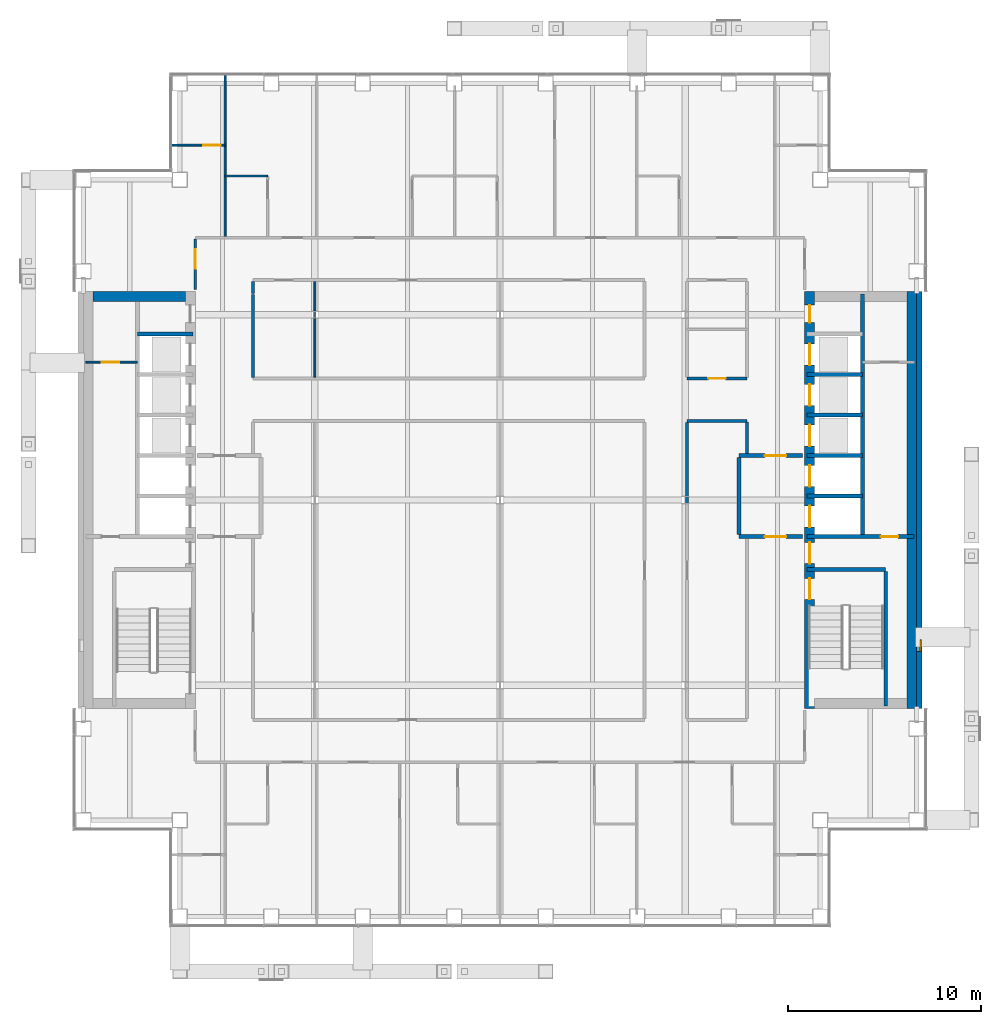
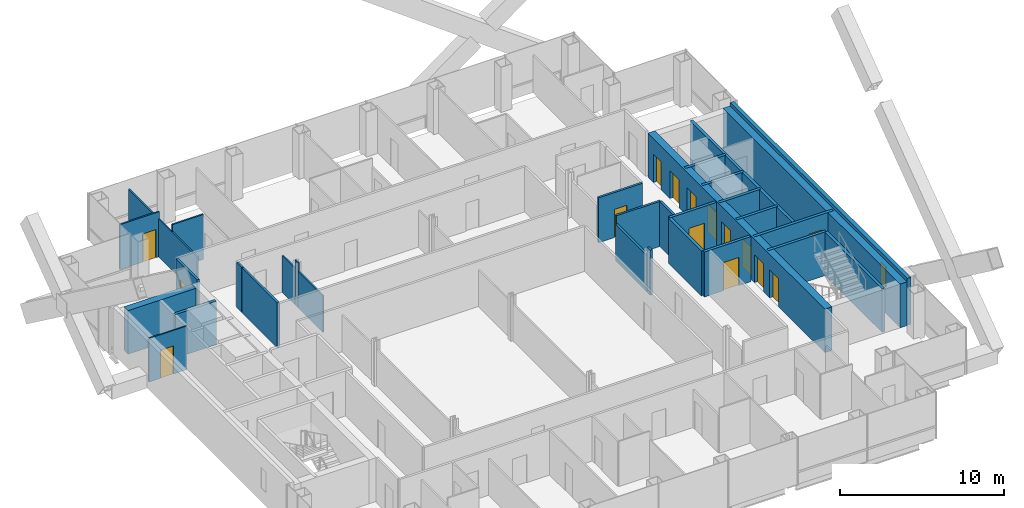
# One storey, part 12 of 16: 31 walls, 15 doors, 1 window, 16 openings.
"""IFC4 building model written with IfcOpenShell, lengths in metres."""

from ifc_helpers import new_model, si_unit, direction, frame, frame_2d, origin, place, context, subcontext, project, spatial, rectangle, extrude, material, layer, layer_set, type_object, element, fill, save


model = new_model("IFC4")

# Units and contexts
model_context = context("Model", 3, precision=1e-05, world=origin(), true_north=direction((0.0, 1.0)))
body_context = subcontext(model_context, "Body", "Model", "MODEL_VIEW")
ifc_project = project(units=[si_unit("LENGTHUNIT", "METRE"), si_unit("AREAUNIT", "SQUARE_METRE"), si_unit("VOLUMEUNIT", "CUBIC_METRE"), si_unit("PLANEANGLEUNIT", "RADIAN"), si_unit("MASSUNIT", "GRAM", prefix="KILO")], contexts=[model_context])

# Site, building, storey
site_placement = place(None, origin())
site = spatial("IfcSite", under=ifc_project, at=site_placement, CompositionType="ELEMENT")
building_placement = place(site_placement, origin())
building = spatial("IfcBuilding", under=site, at=building_placement, Name="Cobrizo Arcos Hotel Tower", CompositionType="ELEMENT")
storey_placement = place(building_placement, frame((0.0, 0.0, 172.5)))
storey = spatial("IfcBuildingStorey", under=building, at=storey_placement, Name="L44", CompositionType="ELEMENT", Elevation=172.5)

# Wall
ifc_material_1 = material(Name="Gypsum board partition")
ifc_layer_1 = layer(ifc_material_1, 0.14990234375)
ifc_layer_set_1 = layer_set([ifc_layer_1], Name="Corridor wall EI 60 150")
wall_type_1 = type_object("IfcWallType", Name="Corridor wall EI 60 150", PredefinedType="PARTITIONING", material=ifc_layer_set_1)
wall_1_placement = place(storey_placement, frame((9.699951171875, 4.10009765625, 0.0), z_axis=(0.0, 0.0, 1.0), x_axis=(1.0, 0.0, 0.0)))
element("IfcWall", 1, at=wall_1_placement, inside=storey, type_object=wall_type_1, Name="Partition 023", PredefinedType="PARTITIONING", context=body_context, shape_type="SweptSolid", body=[
    extrude(rectangle(XDim=3.10009765625, YDim=0.14990234375, at=frame_2d((1.550048828125, 0.0))), origin(), (0.0, 0.0, 1.0), 3.35009765625),
])

# Wall, opening, door
wall_2_placement = place(storey_placement, frame((9.699951171875, 6.300048828125, 0.0), z_axis=(0.0, 0.0, 1.0), x_axis=(1.0, 0.0, 0.0)))
wall_2 = element("IfcWall", 2, at=wall_2_placement, inside=storey, type_object=wall_type_1, Name="Partition 027", PredefinedType="PARTITIONING", context=body_context, shape_type="SweptSolid", body=[
    extrude(rectangle(XDim=3.10009765625, YDim=0.14990234375, at=frame_2d((1.550048828125, 0.0))), origin(), (0.0, 0.0, 1.0), 3.35009765625),
])
opening_1_placement = place(wall_2_placement, frame((1.10009765625, 0.0, 0.0)))
opening_1 = element("IfcOpeningElement", 3, at=opening_1_placement, cuts=wall_2, Name="Opening ED-13", PredefinedType="OPENING", context=body_context, shape_type="SweptSolid", body=[
    extrude(rectangle(XDim=0.89990234375, YDim=2.10009765625, at=frame_2d((0.449951171875, 1.050048828125))), frame((0.0, 0.0869140625, 0.0), z_axis=(0.0, -1.0, 0.0), x_axis=(1.0, 0.0, 0.0)), (0.0, 0.0, 1.0), 0.173828125),
])
ifc_material_2 = material(Name="Timber door leaf", Category="wood")
door_type_1 = type_object("IfcDoorType", Name="En-suite door 900x2100", OperationType="SINGLE_SWING_LEFT", PredefinedType="DOOR", material=ifc_material_2)
door_1_placement = place(opening_1_placement, origin())
door_1 = element("IfcDoor", 4, at=door_1_placement, inside=storey, type_object=door_type_1, Name="Door ED-13", OperationType="SINGLE_SWING_LEFT", OverallHeight=2.10009765625, OverallWidth=0.89990234375, PredefinedType="DOOR", context=body_context, shape_type="SweptSolid", body=[
    extrude(rectangle(XDim=0.89990234375, YDim=2.10009765625, at=frame_2d((0.449951171875, 1.050048828125))), frame((0.0, 0.02490234375, 0.0), z_axis=(0.0, -1.0, 0.0), x_axis=(1.0, 0.0, 0.0)), (0.0, 0.0, 1.0), 0.050048828125),
])
fill(opening_1, door_1)

wall_3_placement = place(storey_placement, frame((-15.800048828125, 10.919921875, 0.0), z_axis=(0.0, 0.0, 1.0), x_axis=(0.0, 1.0, 0.0)))
wall_3 = element("IfcWall", 5, at=wall_3_placement, inside=storey, type_object=wall_type_1, Name="Partition 047", PredefinedType="PARTITIONING", context=body_context, shape_type="SweptSolid", body=[
    extrude(rectangle(XDim=2.60498046875, YDim=0.14990234375, at=frame_2d((1.302490234375, 0.0))), origin(), (0.0, 0.0, 1.0), 3.35009765625),
])
opening_2_placement = place(wall_3_placement, frame((1.080078125, 0.0, 0.0)))
opening_2 = element("IfcOpeningElement", 6, at=opening_2_placement, cuts=wall_3, Name="Opening GD-10", PredefinedType="OPENING", context=body_context, shape_type="SweptSolid", body=[
    extrude(rectangle(XDim=1.0, YDim=2.10009765625, at=frame_2d((0.5, 1.050048828125))), frame((0.0, 0.0869140625, 0.0), z_axis=(0.0, -1.0, 0.0), x_axis=(1.0, 0.0, 0.0)), (0.0, 0.0, 1.0), 0.173828125),
])
door_type_2 = type_object("IfcDoorType", Name="Guest room door FD30S 1000x2100", OperationType="SINGLE_SWING_LEFT", PredefinedType="DOOR", material=ifc_material_2)
door_2_placement = place(opening_2_placement, origin())
door_2 = element("IfcDoor", 7, at=door_2_placement, inside=storey, type_object=door_type_2, Name="Door GD-10", OperationType="SINGLE_SWING_RIGHT", OverallHeight=2.10009765625, OverallWidth=1.0, PredefinedType="DOOR", context=body_context, shape_type="SweptSolid", body=[
    extrude(rectangle(XDim=1.0, YDim=2.10009765625, at=frame_2d((0.5, 1.050048828125))), frame((0.0, 0.02490234375, 0.0), z_axis=(0.0, -1.0, 0.0), x_axis=(1.0, 0.0, 0.0)), (0.0, 0.0, 1.0), 0.050048828125),
])
fill(opening_2, door_2)

# Walls
wall_4_placement = place(storey_placement, frame((-12.800048828125, 6.35009765625, 0.0), z_axis=(0.0, 0.0, 1.0), x_axis=(0.0, 1.0, 0.0)))
element("IfcWall", 8, at=wall_4_placement, inside=storey, type_object=wall_type_1, Name="Partition 052", PredefinedType="PARTITIONING", context=body_context, shape_type="SweptSolid", body=[
    extrude(rectangle(XDim=4.2998046875, YDim=0.14990234375, at=frame_2d((2.14990234375, 0.0))), origin(), (0.0, 0.0, 1.0), 3.35009765625),
])
wall_5_placement = place(storey_placement, frame((-12.800048828125, 10.699951171875, 0.0), z_axis=(0.0, 0.0, 1.0), x_axis=(0.0, 1.0, 0.0)))
element("IfcWall", 9, at=wall_5_placement, inside=storey, type_object=wall_type_1, Name="Partition 053", PredefinedType="PARTITIONING", context=body_context, shape_type="SweptSolid", body=[
    extrude(rectangle(XDim=0.625, YDim=0.14990234375, at=frame_2d((0.3125, 0.0))), origin(), (0.0, 0.0, 1.0), 3.35009765625),
])
wall_6_placement = place(storey_placement, frame((9.699951171875, -0.18701171875, 0.0), z_axis=(0.0, 0.0, 1.0), x_axis=(0.0, 1.0, 0.0)))
element("IfcWall", 10, at=wall_6_placement, inside=storey, type_object=wall_type_1, Name="Partition 092", PredefinedType="PARTITIONING", context=body_context, shape_type="SweptSolid", body=[
    extrude(rectangle(XDim=0.3740234375, YDim=0.14990234375, at=frame_2d((0.18701171875, 0.0))), origin(), (0.0, 0.0, 1.0), 3.35009765625),
])
wall_7_placement = place(storey_placement, frame((9.699951171875, 0.18701171875, 0.0), z_axis=(0.0, 0.0, 1.0), x_axis=(0.0, 1.0, 0.0)))
element("IfcWall", 11, at=wall_7_placement, inside=storey, type_object=wall_type_1, Name="Partition 093", PredefinedType="PARTITIONING", context=body_context, shape_type="SweptSolid", body=[
    extrude(rectangle(XDim=3.837890625, YDim=0.14990234375, at=frame_2d((1.9189453125, 0.0))), origin(), (0.0, 0.0, 1.0), 2.72802734375),
])
wall_8_placement = place(storey_placement, frame((12.800048828125, 2.39990234375, 0.0), z_axis=(0.0, 0.0, 1.0), x_axis=(0.0, 1.0, 0.0)))
element("IfcWall", 12, at=wall_8_placement, inside=storey, type_object=wall_type_1, Name="Partition 100", PredefinedType="PARTITIONING", context=body_context, shape_type="SweptSolid", body=[
    extrude(rectangle(XDim=1.650146484375, YDim=0.14990234375, at=frame_2d((0.8251953125, 0.0))), origin(), (0.0, 0.0, 1.0), 3.35009765625),
])

# Wall, opening, window
ifc_material_3 = material(Name="Aluminium composite panel pale metal", Category="aluminium")
ifc_layer_2 = layer(ifc_material_3, 0.27490234375)
ifc_layer_set_2 = layer_set([ifc_layer_2], Name="EW-1 insulated panel wall 275")
wall_type_2 = type_object("IfcWallType", Name="EW-1 insulated panel wall 275", PredefinedType="SOLIDWALL", material=ifc_layer_set_2)
wall_9_placement = place(storey_placement, frame((21.737548828125, -10.800048828125, 0.0), z_axis=(0.0, 0.0, 1.0), x_axis=(0.0, 1.0, 0.0)))
wall_9 = element("IfcWall", 13, at=wall_9_placement, inside=storey, type_object=wall_type_2, Name="Core face wall L44 E", PredefinedType="SOLIDWALL", context=body_context, shape_type="SweptSolid", body=[
    extrude(rectangle(XDim=21.60009765625, YDim=0.27490234375, at=frame_2d((10.800048828125, 0.0))), origin(), (0.0, 0.0, 1.0), 3.5),
])
opening_3_placement = place(wall_9_placement, frame((2.949951171875, 0.0, 1.0)))
opening_3 = element("IfcOpeningElement", 14, at=opening_3_placement, cuts=wall_9, Name="Opening W-95", PredefinedType="OPENING", context=body_context, shape_type="SweptSolid", body=[
    extrude(rectangle(XDim=0.60009765625, YDim=1.5, at=frame_2d((0.300048828125, 0.75))), frame((0.0, 0.1494140625, 0.0), z_axis=(0.0, -1.0, 0.0), x_axis=(1.0, 0.0, 0.0)), (0.0, 0.0, 1.0), 0.298828125),
])
ifc_material_4 = material(Name="Aluminium 6063-T6 and clear laminated glass", Category="aluminium")
window_type = type_object("IfcWindowType", Name="W-C1 core stair slot window 600x1500", PartitioningType="SINGLE_PANEL", PredefinedType="WINDOW", material=ifc_material_4)
window_placement = place(opening_3_placement, origin())
window = element("IfcWindow", 15, at=window_placement, inside=storey, type_object=window_type, Name="Core face wall L44 E window W-95", OverallHeight=1.5, OverallWidth=0.60009765625, PartitioningType="SINGLE_PANEL", PredefinedType="WINDOW", context=body_context, shape_type="SweptSolid", body=[
    extrude(rectangle(XDim=0.60009765625, YDim=1.5, at=frame_2d((0.300048828125, 0.75))), frame((0.0, -0.04736328125, 0.0), z_axis=(0.0, -1.0, 0.0), x_axis=(1.0, 0.0, 0.0)), (0.0, 0.0, 1.0), 0.06005859375),
])
fill(opening_3, window)

# Wall, opening, door
ifc_layer_3 = layer(ifc_material_1, 0.10009765625)
ifc_layer_set_3 = layer_set([ifc_layer_3], Name="Partition EI 30 100")
wall_type_3 = type_object("IfcWallType", Name="Partition EI 30 100", PredefinedType="PARTITIONING", material=ifc_layer_set_3)
wall_10_placement = place(storey_placement, frame((-21.47998046875, 7.14990234375, 0.0), z_axis=(0.0, 0.0, 1.0), x_axis=(1.0, 0.0, 0.0)))
wall_10 = element("IfcWall", 16, at=wall_10_placement, inside=storey, type_object=wall_type_3, Name="Partition 030", PredefinedType="PARTITIONING", context=body_context, shape_type="SweptSolid", body=[
    extrude(rectangle(XDim=2.679931640625, YDim=0.10009765625, at=frame_2d((1.33984375, 0.0))), origin(), (0.0, 0.0, 1.0), 3.25),
])
opening_4_placement = place(wall_10_placement, frame((0.830078125, 0.0, 0.0)))
opening_4 = element("IfcOpeningElement", 17, at=opening_4_placement, cuts=wall_10, Name="Opening RD-03", PredefinedType="OPENING", context=body_context, shape_type="SweptSolid", body=[
    extrude(rectangle(XDim=0.89990234375, YDim=2.10009765625, at=frame_2d((0.449951171875, 1.050048828125))), frame((0.0, 0.06201171875, 0.0), z_axis=(0.0, -1.0, 0.0), x_axis=(1.0, 0.0, 0.0)), (0.0, 0.0, 1.0), 0.1240234375),
])
door_type_3 = type_object("IfcDoorType", Name="Room door FD30 900x2100", OperationType="SINGLE_SWING_LEFT", PredefinedType="DOOR", material=ifc_material_2)
door_3_placement = place(opening_4_placement, origin())
door_3 = element("IfcDoor", 18, at=door_3_placement, inside=storey, type_object=door_type_3, Name="Door RD-03", OperationType="SINGLE_SWING_RIGHT", OverallHeight=2.10009765625, OverallWidth=0.89990234375, PredefinedType="DOOR", context=body_context, shape_type="SweptSolid", body=[
    extrude(rectangle(XDim=0.89990234375, YDim=2.10009765625, at=frame_2d((0.449951171875, 1.050048828125))), frame((0.0, 0.02490234375, 0.0), z_axis=(0.0, -1.0, 0.0), x_axis=(1.0, 0.0, 0.0)), (0.0, 0.0, 1.0), 0.050048828125),
])
fill(opening_4, door_3)

# Wall
wall_11_placement = place(storey_placement, frame((-14.25, 16.800048828125, 0.0), z_axis=(0.0, 0.0, 1.0), x_axis=(1.0, 0.0, 0.0)))
element("IfcWall", 19, at=wall_11_placement, inside=storey, type_object=wall_type_3, Name="Partition 038", PredefinedType="PARTITIONING", context=body_context, shape_type="SweptSolid", body=[
    extrude(rectangle(XDim=2.199951171875, YDim=0.10009765625, at=frame_2d((1.10009765625, 0.0))), origin(), (0.0, 0.0, 1.0), 3.35009765625),
])

# Wall, opening, door
wall_12_placement = place(storey_placement, frame((-17.030029296875, 18.39990234375, 0.0), z_axis=(0.0, 0.0, 1.0), x_axis=(1.0, 0.0, 0.0)))
wall_12 = element("IfcWall", 20, at=wall_12_placement, inside=storey, type_object=wall_type_3, Name="Partition 041", PredefinedType="PARTITIONING", context=body_context, shape_type="SweptSolid", body=[
    extrude(rectangle(XDim=2.780029296875, YDim=0.10009765625, at=frame_2d((1.39013671875, 0.0))), origin(), (0.0, 0.0, 1.0), 3.35009765625),
])
opening_5_placement = place(wall_12_placement, frame((1.639892578125, 0.0, 0.0)))
opening_5 = element("IfcOpeningElement", 21, at=opening_5_placement, cuts=wall_12, Name="Opening ED-10", PredefinedType="OPENING", context=body_context, shape_type="SweptSolid", body=[
    extrude(rectangle(XDim=0.89990234375, YDim=2.10009765625, at=frame_2d((0.449951171875, 1.050048828125))), frame((0.0, 0.06201171875, 0.0), z_axis=(0.0, -1.0, 0.0), x_axis=(1.0, 0.0, 0.0)), (0.0, 0.0, 1.0), 0.1240234375),
])
door_4_placement = place(opening_5_placement, origin())
door_4 = element("IfcDoor", 22, at=door_4_placement, inside=storey, type_object=door_type_1, Name="Door ED-10", OperationType="SINGLE_SWING_RIGHT", OverallHeight=2.10009765625, OverallWidth=0.89990234375, PredefinedType="DOOR", context=body_context, shape_type="SweptSolid", body=[
    extrude(rectangle(XDim=0.89990234375, YDim=2.10009765625, at=frame_2d((0.449951171875, 1.050048828125))), frame((0.0, 0.02490234375, 0.0), z_axis=(0.0, -1.0, 0.0), x_axis=(1.0, 0.0, 0.0)), (0.0, 0.0, 1.0), 0.050048828125),
])
fill(opening_5, door_4)

# Walls
wall_13_placement = place(storey_placement, frame((-14.25, 13.675048828125, 0.0), z_axis=(0.0, 0.0, 1.0), x_axis=(0.0, 1.0, 0.0)))
element("IfcWall", 23, at=wall_13_placement, inside=storey, type_object=wall_type_3, Name="Partition 049", PredefinedType="PARTITIONING", context=body_context, shape_type="SweptSolid", body=[
    extrude(rectangle(XDim=8.35498046875, YDim=0.10009765625, at=frame_2d((4.177490234375, 0.0))), origin(), (0.0, 0.0, 1.0), 2.81689453125),
])
wall_14_placement = place(storey_placement, frame((-9.60009765625, 6.375, 0.0), z_axis=(0.0, 0.0, 1.0), x_axis=(0.0, 1.0, 0.0)))
element("IfcWall", 24, at=wall_14_placement, inside=storey, type_object=wall_type_3, Name="Partition 062", PredefinedType="PARTITIONING", context=body_context, shape_type="SweptSolid", body=[
    extrude(rectangle(XDim=3.0380859375, YDim=0.10009765625, at=frame_2d((1.51904296875, 0.0))), origin(), (0.0, 0.0, 1.0), 2.72802734375),
])
wall_15_placement = place(storey_placement, frame((-9.60009765625, 9.4130859375, 0.0), z_axis=(0.0, 0.0, 1.0), x_axis=(0.0, 1.0, 0.0)))
element("IfcWall", 25, at=wall_15_placement, inside=storey, type_object=wall_type_3, Name="Partition 063", PredefinedType="PARTITIONING", context=body_context, shape_type="SweptSolid", body=[
    extrude(rectangle(XDim=0.3740234375, YDim=0.10009765625, at=frame_2d((0.18701171875, 0.0))), origin(), (0.0, 0.0, 1.0), 3.35009765625),
])
wall_16_placement = place(storey_placement, frame((-9.60009765625, 9.787109375, 0.0), z_axis=(0.0, 0.0, 1.0), x_axis=(0.0, 1.0, 0.0)))
element("IfcWall", 26, at=wall_16_placement, inside=storey, type_object=wall_type_3, Name="Partition 064", PredefinedType="PARTITIONING", context=body_context, shape_type="SweptSolid", body=[
    extrude(rectangle(XDim=1.537841796875, YDim=0.10009765625, at=frame_2d((0.76904296875, 0.0))), origin(), (0.0, 0.0, 1.0), 2.72802734375),
])

# Wall, openings, doors
ifc_material_5 = material(Name="Concrete f'c 50 MPa", Category="concrete")
ifc_layer_4 = layer(ifc_material_5, 0.5)
ifc_layer_set_4 = layer_set([ifc_layer_4], Name="RC core wall 500 f'c 50")
wall_type_4 = type_object("IfcWallType", Name="RC core wall 500 f'c 50", PredefinedType="SHEAR", material=ifc_layer_set_4)
wall_17_placement = place(storey_placement, frame((16.050048828125, -10.800048828125, 0.0), z_axis=(0.0, 0.0, 1.0), x_axis=(0.0, 1.0, 0.0)))
wall_17 = element("IfcWall", 27, at=wall_17_placement, inside=storey, type_object=wall_type_4, Name="Core wall CW3, east core, inner face, L44", PredefinedType="SHEAR", context=body_context, shape_type="SweptSolid", body=[
    extrude(rectangle(XDim=21.60009765625, YDim=0.5, at=frame_2d((10.800048828125, 0.0))), origin(), (0.0, 0.0, 1.0), 3.25),
])
opening_6_placement = place(wall_17_placement, frame((9.39990234375, 0.0, 0.0)))
opening_6 = element("IfcOpeningElement", 28, at=opening_6_placement, cuts=wall_17, Name="Opening LD-06", PredefinedType="OPENING", context=body_context, shape_type="SweptSolid", body=[
    extrude(rectangle(XDim=1.10009765625, YDim=2.10009765625, at=frame_2d((0.550048828125, 1.050048828125))), frame((0.0, 0.261962890625, 0.0), z_axis=(0.0, -1.0, 0.0), x_axis=(1.0, 0.0, 0.0)), (0.0, 0.0, 1.0), 0.52392578125),
])
opening_7_placement = place(wall_17_placement, frame((11.5, 0.0, 0.0)))
opening_7 = element("IfcOpeningElement", 29, at=opening_7_placement, cuts=wall_17, Name="Opening LD-07", PredefinedType="OPENING", context=body_context, shape_type="SweptSolid", body=[
    extrude(rectangle(XDim=1.10009765625, YDim=2.10009765625, at=frame_2d((0.550048828125, 1.050048828125))), frame((0.0, 0.261962890625, 0.0), z_axis=(0.0, -1.0, 0.0), x_axis=(1.0, 0.0, 0.0)), (0.0, 0.0, 1.0), 0.52392578125),
])
opening_8_placement = place(wall_17_placement, frame((13.60009765625, 0.0, 0.0)))
opening_8 = element("IfcOpeningElement", 30, at=opening_8_placement, cuts=wall_17, Name="Opening LD-08", PredefinedType="OPENING", context=body_context, shape_type="SweptSolid", body=[
    extrude(rectangle(XDim=1.10009765625, YDim=2.10009765625, at=frame_2d((0.550048828125, 1.050048828125))), frame((0.0, 0.261962890625, 0.0), z_axis=(0.0, -1.0, 0.0), x_axis=(1.0, 0.0, 0.0)), (0.0, 0.0, 1.0), 0.52392578125),
])
opening_9_placement = place(wall_17_placement, frame((15.699951171875, 0.0, 0.0)))
opening_9 = element("IfcOpeningElement", 31, at=opening_9_placement, cuts=wall_17, Name="Opening LD-09", PredefinedType="OPENING", context=body_context, shape_type="SweptSolid", body=[
    extrude(rectangle(XDim=1.10009765625, YDim=2.10009765625, at=frame_2d((0.550048828125, 1.050048828125))), frame((0.0, 0.261962890625, 0.0), z_axis=(0.0, -1.0, 0.0), x_axis=(1.0, 0.0, 0.0)), (0.0, 0.0, 1.0), 0.52392578125),
])
opening_10_placement = place(wall_17_placement, frame((17.800048828125, 0.0, 0.0)))
opening_10 = element("IfcOpeningElement", 32, at=opening_10_placement, cuts=wall_17, Name="Opening LD-10", PredefinedType="OPENING", context=body_context, shape_type="SweptSolid", body=[
    extrude(rectangle(XDim=1.10009765625, YDim=2.10009765625, at=frame_2d((0.550048828125, 1.050048828125))), frame((0.0, 0.261962890625, 0.0), z_axis=(0.0, -1.0, 0.0), x_axis=(1.0, 0.0, 0.0)), (0.0, 0.0, 1.0), 0.52392578125),
])
opening_11_placement = place(wall_17_placement, frame((5.64208984375, 0.0, 0.0)))
opening_11 = element("IfcOpeningElement", 33, at=opening_11_placement, cuts=wall_17, Name="Opening SD-02", PredefinedType="OPENING", context=body_context, shape_type="SweptSolid", body=[
    extrude(rectangle(XDim=1.10009765625, YDim=2.10009765625, at=frame_2d((0.550048828125, 1.050048828125))), frame((0.0, 0.261962890625, 0.0), z_axis=(0.0, -1.0, 0.0), x_axis=(1.0, 0.0, 0.0)), (0.0, 0.0, 1.0), 0.52392578125),
])
opening_12_placement = place(wall_17_placement, frame((7.5, 0.0, 0.0)))
opening_12 = element("IfcOpeningElement", 34, at=opening_12_placement, cuts=wall_17, Name="Opening FD-04", PredefinedType="OPENING", context=body_context, shape_type="SweptSolid", body=[
    extrude(rectangle(XDim=1.10009765625, YDim=2.10009765625, at=frame_2d((0.550048828125, 1.050048828125))), frame((0.0, 0.261962890625, 0.0), z_axis=(0.0, -1.0, 0.0), x_axis=(1.0, 0.0, 0.0)), (0.0, 0.0, 1.0), 0.52392578125),
])
opening_13_placement = place(wall_17_placement, frame((20.0, 0.0, 0.0)))
opening_13 = element("IfcOpeningElement", 35, at=opening_13_placement, cuts=wall_17, Name="Opening RD-04", PredefinedType="OPENING", context=body_context, shape_type="SweptSolid", body=[
    extrude(rectangle(XDim=0.89990234375, YDim=2.10009765625, at=frame_2d((0.449951171875, 1.050048828125))), frame((0.0, 0.261962890625, 0.0), z_axis=(0.0, -1.0, 0.0), x_axis=(1.0, 0.0, 0.0)), (0.0, 0.0, 1.0), 0.52392578125),
])
ifc_material_6 = material(Name="Steel door leaf", Category="steel")
door_type_4 = type_object("IfcDoorType", Name="Fire door FD60 1100x2100", OperationType="SINGLE_SWING_LEFT", PredefinedType="DOOR", material=ifc_material_6)
door_5_placement = place(opening_12_placement, origin())
door_5 = element("IfcDoor", 36, at=door_5_placement, inside=storey, type_object=door_type_4, Name="Door FD-04", OperationType="SINGLE_SWING_LEFT", OverallHeight=2.10009765625, OverallWidth=1.10009765625, PredefinedType="DOOR", context=body_context, shape_type="SweptSolid", body=[
    extrude(rectangle(XDim=1.10009765625, YDim=2.10009765625, at=frame_2d((0.550048828125, 1.050048828125))), frame((0.0, 0.02490234375, 0.0), z_axis=(0.0, -1.0, 0.0), x_axis=(1.0, 0.0, 0.0)), (0.0, 0.0, 1.0), 0.050048828125),
])
fill(opening_12, door_5)
door_type_5 = type_object("IfcDoorType", Name="Lift landing door 1100x2100", OperationType="SLIDING_TO_LEFT", PredefinedType="DOOR", material=ifc_material_6)
door_6_placement = place(opening_6_placement, origin())
door_6 = element("IfcDoor", 37, at=door_6_placement, inside=storey, type_object=door_type_5, Name="Lift landing door LD-06", OperationType="SLIDING_TO_LEFT", OverallHeight=2.10009765625, OverallWidth=1.10009765625, PredefinedType="DOOR", context=body_context, shape_type="SweptSolid", body=[
    extrude(rectangle(XDim=1.10009765625, YDim=2.10009765625, at=frame_2d((0.550048828125, 1.050048828125))), frame((0.0, 0.02490234375, 0.0), z_axis=(0.0, -1.0, 0.0), x_axis=(1.0, 0.0, 0.0)), (0.0, 0.0, 1.0), 0.050048828125),
])
fill(opening_6, door_6)
door_7_placement = place(opening_7_placement, origin())
door_7 = element("IfcDoor", 38, at=door_7_placement, inside=storey, type_object=door_type_5, Name="Lift landing door LD-07", OperationType="SLIDING_TO_LEFT", OverallHeight=2.10009765625, OverallWidth=1.10009765625, PredefinedType="DOOR", context=body_context, shape_type="SweptSolid", body=[
    extrude(rectangle(XDim=1.10009765625, YDim=2.10009765625, at=frame_2d((0.550048828125, 1.050048828125))), frame((0.0, 0.02490234375, 0.0), z_axis=(0.0, -1.0, 0.0), x_axis=(1.0, 0.0, 0.0)), (0.0, 0.0, 1.0), 0.050048828125),
])
fill(opening_7, door_7)
door_8_placement = place(opening_8_placement, origin())
door_8 = element("IfcDoor", 39, at=door_8_placement, inside=storey, type_object=door_type_5, Name="Lift landing door LD-08", OperationType="SLIDING_TO_LEFT", OverallHeight=2.10009765625, OverallWidth=1.10009765625, PredefinedType="DOOR", context=body_context, shape_type="SweptSolid", body=[
    extrude(rectangle(XDim=1.10009765625, YDim=2.10009765625, at=frame_2d((0.550048828125, 1.050048828125))), frame((0.0, 0.02490234375, 0.0), z_axis=(0.0, -1.0, 0.0), x_axis=(1.0, 0.0, 0.0)), (0.0, 0.0, 1.0), 0.050048828125),
])
fill(opening_8, door_8)
door_9_placement = place(opening_9_placement, origin())
door_9 = element("IfcDoor", 40, at=door_9_placement, inside=storey, type_object=door_type_5, Name="Lift landing door LD-09", OperationType="SLIDING_TO_LEFT", OverallHeight=2.10009765625, OverallWidth=1.10009765625, PredefinedType="DOOR", context=body_context, shape_type="SweptSolid", body=[
    extrude(rectangle(XDim=1.10009765625, YDim=2.10009765625, at=frame_2d((0.550048828125, 1.050048828125))), frame((0.0, 0.02490234375, 0.0), z_axis=(0.0, -1.0, 0.0), x_axis=(1.0, 0.0, 0.0)), (0.0, 0.0, 1.0), 0.050048828125),
])
fill(opening_9, door_9)
door_10_placement = place(opening_10_placement, origin())
door_10 = element("IfcDoor", 41, at=door_10_placement, inside=storey, type_object=door_type_5, Name="Lift landing door LD-10", OperationType="SLIDING_TO_LEFT", OverallHeight=2.10009765625, OverallWidth=1.10009765625, PredefinedType="DOOR", context=body_context, shape_type="SweptSolid", body=[
    extrude(rectangle(XDim=1.10009765625, YDim=2.10009765625, at=frame_2d((0.550048828125, 1.050048828125))), frame((0.0, 0.02490234375, 0.0), z_axis=(0.0, -1.0, 0.0), x_axis=(1.0, 0.0, 0.0)), (0.0, 0.0, 1.0), 0.050048828125),
])
fill(opening_10, door_10)
door_11_placement = place(opening_13_placement, origin())
door_11 = element("IfcDoor", 42, at=door_11_placement, inside=storey, type_object=door_type_3, Name="Door RD-04", OperationType="SINGLE_SWING_LEFT", OverallHeight=2.10009765625, OverallWidth=0.89990234375, PredefinedType="DOOR", context=body_context, shape_type="SweptSolid", body=[
    extrude(rectangle(XDim=0.89990234375, YDim=2.10009765625, at=frame_2d((0.449951171875, 1.050048828125))), frame((0.0, 0.02490234375, 0.0), z_axis=(0.0, -1.0, 0.0), x_axis=(1.0, 0.0, 0.0)), (0.0, 0.0, 1.0), 0.050048828125),
])
fill(opening_13, door_11)
door_type_6 = type_object("IfcDoorType", Name="Stair door FD60S 1100x2100", OperationType="SINGLE_SWING_LEFT", PredefinedType="DOOR", material=ifc_material_6)
door_12_placement = place(opening_11_placement, origin())
door_12 = element("IfcDoor", 43, at=door_12_placement, inside=storey, type_object=door_type_6, Name="Door SD-02", OperationType="SINGLE_SWING_RIGHT", OverallHeight=2.10009765625, OverallWidth=1.10009765625, PredefinedType="DOOR", context=body_context, shape_type="SweptSolid", body=[
    extrude(rectangle(XDim=1.10009765625, YDim=2.10009765625, at=frame_2d((0.550048828125, 1.050048828125))), frame((0.0, 0.02490234375, 0.0), z_axis=(0.0, -1.0, 0.0), x_axis=(1.0, 0.0, 0.0)), (0.0, 0.0, 1.0), 0.050048828125),
])
fill(opening_11, door_12)

# Walls
wall_18_placement = place(storey_placement, frame((21.35009765625, -10.800048828125, 0.0), z_axis=(0.0, 0.0, 1.0), x_axis=(0.0, 1.0, 0.0)))
element("IfcWall", 44, at=wall_18_placement, inside=storey, type_object=wall_type_4, Name="Core wall CW3, east core, outer face, L44", PredefinedType="SHEAR", context=body_context, shape_type="SweptSolid", body=[
    extrude(rectangle(XDim=21.60009765625, YDim=0.5, at=frame_2d((10.800048828125, 0.0))), origin(), (0.0, 0.0, 1.0), 3.25),
])
wall_19_placement = place(storey_placement, frame((-21.10009765625, 10.550048828125, 0.0), z_axis=(0.0, 0.0, 1.0), x_axis=(1.0, 0.0, 0.0)))
element("IfcWall", 45, at=wall_19_placement, inside=storey, type_object=wall_type_4, Name="Core wall CW3, west core, north end, L44", PredefinedType="SHEAR", context=body_context, shape_type="SweptSolid", body=[
    extrude(rectangle(XDim=4.800048828125, YDim=0.5, at=frame_2d((2.39990234375, 0.0))), origin(), (0.0, 0.0, 1.0), 3.25),
])

# Wall, opening, door
ifc_layer_5 = layer(ifc_material_1, 0.199951171875)
ifc_layer_set_5 = layer_set([ifc_layer_5], Name="Shaft wall EI 120 200")
wall_type_5 = type_object("IfcWallType", Name="Shaft wall EI 120 200", PredefinedType="PARTITIONING", material=ifc_layer_set_5)
wall_20_placement = place(storey_placement, frame((12.39990234375, -1.89990234375, 0.0), z_axis=(0.0, 0.0, 1.0), x_axis=(1.0, 0.0, 0.0)))
wall_20 = element("IfcWall", 46, at=wall_20_placement, inside=storey, type_object=wall_type_5, Name="Partition 014", PredefinedType="PARTITIONING", context=body_context, shape_type="SweptSolid", body=[
    extrude(rectangle(XDim=3.280029296875, YDim=0.199951171875, at=frame_2d((1.64013671875, 0.0))), origin(), (0.0, 0.0, 1.0), 3.35009765625),
])
opening_14_placement = place(wall_20_placement, frame((1.340087890625, 0.0, 0.0)))
opening_14 = element("IfcOpeningElement", 47, at=opening_14_placement, cuts=wall_20, Name="Opening FD-06", PredefinedType="OPENING", context=body_context, shape_type="SweptSolid", body=[
    extrude(rectangle(XDim=1.10009765625, YDim=2.10009765625, at=frame_2d((0.550048828125, 1.050048828125))), frame((0.0, 0.112060546875, 0.0), z_axis=(0.0, -1.0, 0.0), x_axis=(1.0, 0.0, 0.0)), (0.0, 0.0, 1.0), 0.223876953125),
])
door_13_placement = place(opening_14_placement, origin())
door_13 = element("IfcDoor", 48, at=door_13_placement, inside=storey, type_object=door_type_4, Name="Door FD-06", OperationType="SINGLE_SWING_RIGHT", OverallHeight=2.10009765625, OverallWidth=1.10009765625, PredefinedType="DOOR", context=body_context, shape_type="SweptSolid", body=[
    extrude(rectangle(XDim=1.10009765625, YDim=2.10009765625, at=frame_2d((0.550048828125, 1.050048828125))), frame((0.0, 0.02490234375, 0.0), z_axis=(0.0, -1.0, 0.0), x_axis=(1.0, 0.0, 0.0)), (0.0, 0.0, 1.0), 0.050048828125),
])
fill(opening_14, door_13)

wall_21_placement = place(storey_placement, frame((15.919921875, -1.89990234375, 0.0), z_axis=(0.0, 0.0, 1.0), x_axis=(1.0, 0.0, 0.0)))
wall_21 = element("IfcWall", 49, at=wall_21_placement, inside=storey, type_object=wall_type_5, Name="Partition 015", PredefinedType="PARTITIONING", context=body_context, shape_type="SweptSolid", body=[
    extrude(rectangle(XDim=5.56005859375, YDim=0.199951171875, at=frame_2d((2.780029296875, 0.0))), origin(), (0.0, 0.0, 1.0), 3.25),
])
opening_15_placement = place(wall_21_placement, frame((3.830078125, 0.0, 0.0)))
opening_15 = element("IfcOpeningElement", 50, at=opening_15_placement, cuts=wall_21, Name="Opening RD-05", PredefinedType="OPENING", context=body_context, shape_type="SweptSolid", body=[
    extrude(rectangle(XDim=0.89990234375, YDim=2.10009765625, at=frame_2d((0.449951171875, 1.050048828125))), frame((0.0, 0.112060546875, 0.0), z_axis=(0.0, -1.0, 0.0), x_axis=(1.0, 0.0, 0.0)), (0.0, 0.0, 1.0), 0.223876953125),
])
door_14_placement = place(opening_15_placement, origin())
door_14 = element("IfcDoor", 51, at=door_14_placement, inside=storey, type_object=door_type_3, Name="Door RD-05", OperationType="SINGLE_SWING_RIGHT", OverallHeight=2.10009765625, OverallWidth=0.89990234375, PredefinedType="DOOR", context=body_context, shape_type="SweptSolid", body=[
    extrude(rectangle(XDim=0.89990234375, YDim=2.10009765625, at=frame_2d((0.449951171875, 1.050048828125))), frame((0.0, 0.02490234375, 0.0), z_axis=(0.0, -1.0, 0.0), x_axis=(1.0, 0.0, 0.0)), (0.0, 0.0, 1.0), 0.050048828125),
])
fill(opening_15, door_14)

# Wall
wall_22_placement = place(storey_placement, frame((15.919921875, 0.199951171875, 0.0), z_axis=(0.0, 0.0, 1.0), x_axis=(1.0, 0.0, 0.0)))
element("IfcWall", 52, at=wall_22_placement, inside=storey, type_object=wall_type_5, Name="Partition 017", PredefinedType="PARTITIONING", context=body_context, shape_type="SweptSolid", body=[
    extrude(rectangle(XDim=2.880126953125, YDim=0.199951171875, at=frame_2d((1.43994140625, 0.0))), origin(), (0.0, 0.0, 1.0), 3.25),
])

# Wall, opening, door
wall_23_placement = place(storey_placement, frame((12.39990234375, 2.300048828125, 0.0), z_axis=(0.0, 0.0, 1.0), x_axis=(1.0, 0.0, 0.0)))
wall_23 = element("IfcWall", 53, at=wall_23_placement, inside=storey, type_object=wall_type_5, Name="Partition 020", PredefinedType="PARTITIONING", context=body_context, shape_type="SweptSolid", body=[
    extrude(rectangle(XDim=3.280029296875, YDim=0.199951171875, at=frame_2d((1.64013671875, 0.0))), origin(), (0.0, 0.0, 1.0), 3.35009765625),
])
opening_16_placement = place(wall_23_placement, frame((1.340087890625, 0.0, 0.0)))
opening_16 = element("IfcOpeningElement", 54, at=opening_16_placement, cuts=wall_23, Name="Opening FD-05", PredefinedType="OPENING", context=body_context, shape_type="SweptSolid", body=[
    extrude(rectangle(XDim=1.10009765625, YDim=2.10009765625, at=frame_2d((0.550048828125, 1.050048828125))), frame((0.0, 0.112060546875, 0.0), z_axis=(0.0, -1.0, 0.0), x_axis=(1.0, 0.0, 0.0)), (0.0, 0.0, 1.0), 0.223876953125),
])
door_15_placement = place(opening_16_placement, origin())
door_15 = element("IfcDoor", 55, at=door_15_placement, inside=storey, type_object=door_type_4, Name="Door FD-05", OperationType="SINGLE_SWING_LEFT", OverallHeight=2.10009765625, OverallWidth=1.10009765625, PredefinedType="DOOR", context=body_context, shape_type="SweptSolid", body=[
    extrude(rectangle(XDim=1.10009765625, YDim=2.10009765625, at=frame_2d((0.550048828125, 1.050048828125))), frame((0.0, 0.02490234375, 0.0), z_axis=(0.0, -1.0, 0.0), x_axis=(1.0, 0.0, 0.0)), (0.0, 0.0, 1.0), 0.050048828125),
])
fill(opening_16, door_15)

# Walls
for number, where, z_axis, x_axis, name in (
    (56, (15.919921875, 2.300048828125, 0.0), (0.0, 0.0, 1.0), (1.0, 0.0, 0.0), "Partition 021"),
    (57, (15.919921875, 4.39990234375, 0.0), (0.0, 0.0, 1.0), (1.0, 0.0, 0.0), "Partition 025"),
    (58, (15.919921875, 6.5, 0.0), (0.0, 0.0, 1.0), (1.0, 0.0, 0.0), "Partition 029"),
    (59, (-18.800048828125, 8.60009765625, 0.0), (0.0, 0.0, 1.0), (1.0, 0.0, 0.0), "Partition 032"),
):
    element("IfcWall", number, at=place(storey_placement, frame(where, z_axis=z_axis, x_axis=x_axis)), inside=storey, type_object=wall_type_5, Name=name, PredefinedType="PARTITIONING", context=body_context, shape_type="SweptSolid", body=[
        extrude(rectangle(XDim=2.880126953125, YDim=0.199951171875, at=frame_2d((1.43994140625, 0.0))), origin(), (0.0, 0.0, 1.0), 3.25),
    ])
wall_24_placement = place(storey_placement, frame((12.39990234375, -1.800048828125, 0.0), z_axis=(0.0, 0.0, 1.0), x_axis=(0.0, 1.0, 0.0)))
element("IfcWall", 60, at=wall_24_placement, inside=storey, type_object=wall_type_5, Name="Partition 098", PredefinedType="PARTITIONING", context=body_context, shape_type="SweptSolid", body=[
    extrude(rectangle(XDim=4.0, YDim=0.199951171875, at=frame_2d((2.0, 0.0))), origin(), (0.0, 0.0, 1.0), 3.35009765625),
])
wall_25_placement = place(storey_placement, frame((18.800048828125, -1.800048828125, 0.0), z_axis=(0.0, 0.0, 1.0), x_axis=(0.0, 1.0, 0.0)))
element("IfcWall", 61, at=wall_25_placement, inside=storey, type_object=wall_type_5, Name="Partition 107", PredefinedType="PARTITIONING", context=body_context, shape_type="SweptSolid", body=[
    extrude(rectangle(XDim=12.47998046875, YDim=0.199951171875, at=frame_2d((6.239990234375, 0.0))), origin(), (0.0, 0.0, 1.0), 3.25),
])
ifc_material_7 = material(Name="Concrete f'c 40 MPa", Category="concrete")
ifc_layer_6 = layer(ifc_material_7, 0.199951171875)
ifc_layer_set_6 = layer_set([ifc_layer_6], Name="Stair shaft wall 200")
wall_type_6 = type_object("IfcWallType", Name="Stair shaft wall 200", PredefinedType="SHEAR", material=ifc_layer_set_6)
wall_26_placement = place(storey_placement, frame((15.919921875, -3.60009765625, 0.0), z_axis=(0.0, 0.0, 1.0), x_axis=(1.0, 0.0, 0.0)))
element("IfcWall", 62, at=wall_26_placement, inside=storey, type_object=wall_type_6, Name="Stair shaft wall E", PredefinedType="SHEAR", context=body_context, shape_type="SweptSolid", body=[
    extrude(rectangle(XDim=4.080078125, YDim=0.199951171875, at=frame_2d((2.0400390625, 0.0))), origin(), (0.0, 0.0, 1.0), 3.25),
])
wall_27_placement = place(storey_placement, frame((20.0, -10.679931640625, 0.0), z_axis=(0.0, 0.0, 1.0), x_axis=(0.0, 1.0, 0.0)))
element("IfcWall", 63, at=wall_27_placement, inside=storey, type_object=wall_type_6, Name="Stair shaft wall E", PredefinedType="SHEAR", context=body_context, shape_type="SweptSolid", body=[
    extrude(rectangle(XDim=6.97998046875, YDim=0.199951171875, at=frame_2d((3.489990234375, 0.0))), origin(), (0.0, 0.0, 1.0), 3.25),
])

save(model, "model.ifc")
